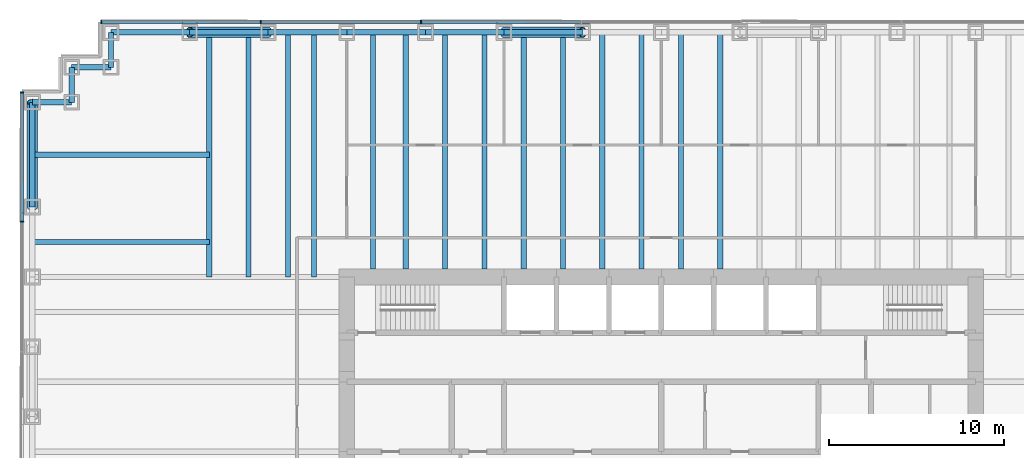
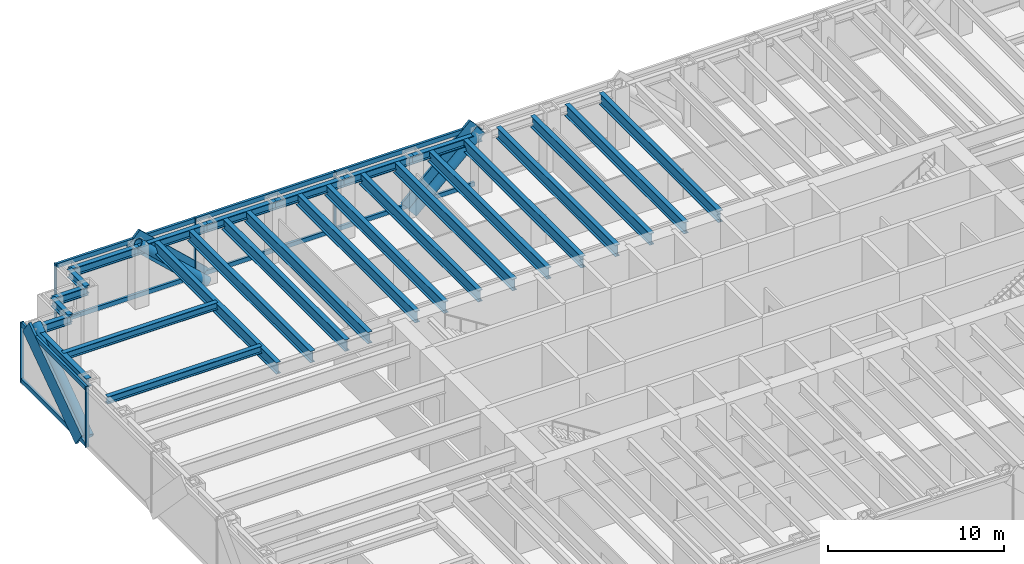
# One storey, part 6 of 15: 27 beams, 19 members, 2 elements without a shape of their own.
"""IFC4 building model written with IfcOpenShell, lengths in metres."""

from ifc_helpers import new_model, si_unit, direction, frame, origin, origin_2d, place, context, subcontext, project, spatial, rectangle, hollow_circle, i_section, extrude, material, material_profile, profile_set, type_object, element, aggregate, save


model = new_model("IFC4")

# Units and contexts
model_context = context("Model", 3, precision=1e-05, world=origin(), true_north=direction((0.0, 1.0)))
body_context = subcontext(model_context, "Body", "Model", "MODEL_VIEW")
ifc_project = project(units=[si_unit("LENGTHUNIT", "METRE"), si_unit("AREAUNIT", "SQUARE_METRE"), si_unit("VOLUMEUNIT", "CUBIC_METRE"), si_unit("PLANEANGLEUNIT", "RADIAN"), si_unit("MASSUNIT", "GRAM", prefix="KILO")], contexts=[model_context])

# Site, building, storey
site_placement = place(None, origin())
site = spatial("IfcSite", under=ifc_project, at=site_placement, CompositionType="ELEMENT")
building_placement = place(site_placement, origin())
building = spatial("IfcBuilding", under=site, at=building_placement, Name="Rheinbord Bourse Tower", CompositionType="ELEMENT")
storey_placement = place(building_placement, frame((0.0, 0.0, 117.300048828125)))
storey = spatial("IfcBuildingStorey", under=building, at=storey_placement, Name="L25", CompositionType="ELEMENT", Elevation=117.300048828125)

# Curtain wall, members
ifc_material_1 = material(Name="Dark glass and black aluminium", Category="aluminium")
curtain_wall_type = type_object("IfcCurtainWallType", Name="CW2 DARK GLASS CURTAIN WALL", PredefinedType="USERDEFINED", material=ifc_material_1)
curtain_wall_1_placement = place(storey_placement, origin())
curtain_wall_1 = element("IfcCurtainWall", 1, at=curtain_wall_1_placement, inside=storey, type_object=curtain_wall_type, Name="Curtain wall CW2 N L25", ObjectType="UNITISED CURTAIN WALL", PredefinedType="USERDEFINED")
ifc_material_2 = material(Name="Black anodised aluminium", Category="aluminium")
ifc_material_profile_1 = material_profile(ifc_material_2, rectangle(XDim=0.159912109375, YDim=1.2099609375, at=origin_2d()), Name="CW2 DIAGONAL MULLION 1210x160")
ifc_profile_set_1 = profile_set([ifc_material_profile_1], Name="Black anodised aluminium")
member_type_1 = type_object("IfcMemberType", Name="CW2 BLACK DIAGONAL MULLION", PredefinedType="USERDEFINED", material=ifc_profile_set_1)
member_1_placement = place(storey_placement, frame((13.5, 46.60009765625, 0.0), z_axis=(-0.73105922506, 0.0, 0.682314010889), x_axis=(0.0, -1.0, 0.0)))
member_1 = element("IfcMember", 2, at=member_1_placement, type_object=member_type_1, Name="CW2 diagonal mullion a", ObjectType="DIAGONAL MULLION", PredefinedType="USERDEFINED", context=body_context, shape_type="SweptSolid", body=[
    extrude(rectangle(XDim=0.159912109375, YDim=1.2099609375, at=origin_2d()), origin(), (0.0, 0.0, 1.0), 6.155517578125),
])
member_2_placement = place(storey_placement, frame((27.0, 46.60009765625, 0.0), z_axis=(0.73105922506, 0.0, 0.682314010889), x_axis=(0.0, 1.0, 0.0)))
member_2 = element("IfcMember", 3, at=member_2_placement, type_object=member_type_1, Name="CW2 diagonal mullion c", ObjectType="DIAGONAL MULLION", PredefinedType="USERDEFINED", context=body_context, shape_type="SweptSolid", body=[
    extrude(rectangle(XDim=0.159912109375, YDim=1.2099609375, at=origin_2d()), origin(), (0.0, 0.0, 1.0), 6.155517578125),
])

# Curtain wall, member
curtain_wall_2_placement = place(storey_placement, origin())
curtain_wall_2 = element("IfcCurtainWall", 4, at=curtain_wall_2_placement, inside=storey, type_object=curtain_wall_type, Name="Curtain wall CW2 W L25", ObjectType="UNITISED CURTAIN WALL", PredefinedType="USERDEFINED")
member_3_placement = place(storey_placement, frame((-0.60009765625, 36.0, 0.0), z_axis=(0.0, 0.819235052632, 0.57345786989), x_axis=(-1.0, 0.0, 0.0)))
member_3 = element("IfcMember", 5, at=member_3_placement, type_object=member_type_1, Name="CW2 diagonal mullion a", ObjectType="DIAGONAL MULLION", PredefinedType="USERDEFINED", context=body_context, shape_type="SweptSolid", body=[
    extrude(rectangle(XDim=0.159912109375, YDim=1.2099609375, at=origin_2d()), origin(), (0.0, 0.0, 1.0), 7.323974609375),
])

# Member
ifc_material_3 = material(Name="Black anodised aluminium", Category="aluminium")
ifc_material_profile_2 = material_profile(ifc_material_3, rectangle(XDim=0.219970703125, YDim=0.070068359375, at=origin_2d()), Name="CW2 MULLION 70x220")
ifc_profile_set_2 = profile_set([ifc_material_profile_2], Name="Black anodised aluminium")
member_type_2 = type_object("IfcMemberType", Name="CW2 BLACK MULLION", PredefinedType="MULLION", material=ifc_profile_set_2)
member_4_placement = place(storey_placement, frame((22.242919921875, 46.60009765625, 0.0), z_axis=(0.0, 0.0, 1.0), x_axis=(0.0, -1.0, 0.0)))
member_4 = element("IfcMember", 6, at=member_4_placement, type_object=member_type_2, Name="CW2 mullion 6", PredefinedType="MULLION", context=body_context, shape_type="SweptSolid", body=[
    extrude(rectangle(XDim=0.219970703125, YDim=0.070068359375, at=origin_2d()), origin(), (0.0, 0.0, 1.0), 4.199951171875),
])

member_5_placement = place(storey_placement, frame((13.071533203125, 46.60009765625, 0.0), z_axis=(0.0, 0.0, 1.0), x_axis=(0.0, -1.0, 0.0)))
member_5 = element("IfcMember", 7, at=member_5_placement, type_object=member_type_2, Name="CW2 mullion 7", PredefinedType="MULLION", context=body_context, shape_type="SweptSolid", body=[
    extrude(rectangle(XDim=0.219970703125, YDim=0.070068359375, at=origin_2d()), origin(), (0.0, 0.0, 1.0), 4.199951171875),
])

member_6_placement = place(storey_placement, frame((3.93505859375, 46.60009765625, 0.0), z_axis=(0.0, 0.0, 1.0), x_axis=(0.0, -1.0, 0.0)))
member_6 = element("IfcMember", 8, at=member_6_placement, type_object=member_type_2, Name="CW2 mullion 8", PredefinedType="MULLION", context=body_context, shape_type="SweptSolid", body=[
    extrude(rectangle(XDim=0.219970703125, YDim=0.070068359375, at=origin_2d()), origin(), (0.0, 0.0, 1.0), 4.199951171875),
])

member_7_placement = place(storey_placement, frame((-0.60009765625, 42.56494140625, 0.0), z_axis=(0.0, 0.0, 1.0), x_axis=(1.0, 0.0, 0.0)))
member_7 = element("IfcMember", 9, at=member_7_placement, type_object=member_type_2, Name="CW2 mullion 1", PredefinedType="MULLION", context=body_context, shape_type="SweptSolid", body=[
    extrude(rectangle(XDim=0.219970703125, YDim=0.070068359375, at=origin_2d()), origin(), (0.0, 0.0, 1.0), 4.199951171875),
])

member_8_placement = place(storey_placement, frame((-0.60009765625, 35.159912109375, 0.0), z_axis=(0.0, 0.0, 1.0), x_axis=(1.0, 0.0, 0.0)))
member_8 = element("IfcMember", 10, at=member_8_placement, type_object=member_type_2, Name="CW2 mullion 2", PredefinedType="MULLION", context=body_context, shape_type="SweptSolid", body=[
    extrude(rectangle(XDim=0.219970703125, YDim=0.070068359375, at=origin_2d()), origin(), (0.0, 0.0, 1.0), 4.199951171875),
])

ifc_material_4 = material(Name="Black anodised aluminium", Category="aluminium")
ifc_material_profile_3 = material_profile(ifc_material_4, rectangle(XDim=0.159912109375, YDim=0.300048828125, at=origin_2d()), Name="CW2 TRANSOM 300x160")
ifc_profile_set_3 = profile_set([ifc_material_profile_3], Name="Black anodised aluminium")
member_type_3 = type_object("IfcMemberType", Name="CW2 BLACK TRANSOM", PredefinedType="USERDEFINED", material=ifc_profile_set_3)
member_9_placement = place(storey_placement, frame((31.37939453125, 46.60009765625, 0.14990234375), z_axis=(-1.0, 0.0, 0.0), x_axis=(0.0, -1.0, 0.0)))
member_9 = element("IfcMember", 11, at=member_9_placement, type_object=member_type_3, Name="CW2 transom 5.1", ObjectType="TRANSOM", PredefinedType="USERDEFINED", context=body_context, shape_type="SweptSolid", body=[
    extrude(rectangle(XDim=0.159912109375, YDim=0.300048828125, at=origin_2d()), origin(), (0.0, 0.0, 1.0), 9.1015625),
])

member_10_placement = place(storey_placement, frame((31.37939453125, 46.60009765625, 4.050048828125), z_axis=(-1.0, 0.0, 0.0), x_axis=(0.0, -1.0, 0.0)))
member_10 = element("IfcMember", 12, at=member_10_placement, type_object=member_type_3, Name="CW2 transom 5.2", ObjectType="TRANSOM", PredefinedType="USERDEFINED", context=body_context, shape_type="SweptSolid", body=[
    extrude(rectangle(XDim=0.159912109375, YDim=0.300048828125, at=origin_2d()), origin(), (0.0, 0.0, 1.0), 9.1015625),
])

member_11_placement = place(storey_placement, frame((22.207763671875, 46.60009765625, 0.14990234375), z_axis=(-1.0, 0.0, 0.0), x_axis=(0.0, -1.0, 0.0)))
member_11 = element("IfcMember", 13, at=member_11_placement, type_object=member_type_3, Name="CW2 transom 6.1", ObjectType="TRANSOM", PredefinedType="USERDEFINED", context=body_context, shape_type="SweptSolid", body=[
    extrude(rectangle(XDim=0.159912109375, YDim=0.300048828125, at=origin_2d()), origin(), (0.0, 0.0, 1.0), 9.101318359375),
])

member_12_placement = place(storey_placement, frame((22.207763671875, 46.60009765625, 4.050048828125), z_axis=(-1.0, 0.0, 0.0), x_axis=(0.0, -1.0, 0.0)))
member_12 = element("IfcMember", 14, at=member_12_placement, type_object=member_type_3, Name="CW2 transom 6.2", ObjectType="TRANSOM", PredefinedType="USERDEFINED", context=body_context, shape_type="SweptSolid", body=[
    extrude(rectangle(XDim=0.159912109375, YDim=0.300048828125, at=origin_2d()), origin(), (0.0, 0.0, 1.0), 9.101318359375),
])

member_13_placement = place(storey_placement, frame((13.036376953125, 46.60009765625, 0.14990234375), z_axis=(-1.0, 0.0, 0.0), x_axis=(0.0, -1.0, 0.0)))
member_13 = element("IfcMember", 15, at=member_13_placement, type_object=member_type_3, Name="CW2 transom 7.1", ObjectType="TRANSOM", PredefinedType="USERDEFINED", context=body_context, shape_type="SweptSolid", body=[
    extrude(rectangle(XDim=0.159912109375, YDim=0.300048828125, at=origin_2d()), origin(), (0.0, 0.0, 1.0), 9.06640625),
])

member_14_placement = place(storey_placement, frame((13.036376953125, 46.60009765625, 4.050048828125), z_axis=(-1.0, 0.0, 0.0), x_axis=(0.0, -1.0, 0.0)))
member_14 = element("IfcMember", 16, at=member_14_placement, type_object=member_type_3, Name="CW2 transom 7.2", ObjectType="TRANSOM", PredefinedType="USERDEFINED", context=body_context, shape_type="SweptSolid", body=[
    extrude(rectangle(XDim=0.159912109375, YDim=0.300048828125, at=origin_2d()), origin(), (0.0, 0.0, 1.0), 9.06640625),
])

aggregate(curtain_wall_1, [member_4, member_5, member_6, member_9, member_10, member_11, member_12, member_13, member_14, member_1, member_2])

member_15_placement = place(storey_placement, frame((-0.60009765625, 42.530029296875, 0.14990234375), z_axis=(0.0, -1.0, 0.0), x_axis=(1.0, 0.0, 0.0)))
member_15 = element("IfcMember", 17, at=member_15_placement, type_object=member_type_3, Name="CW2 transom 1.1", ObjectType="TRANSOM", PredefinedType="USERDEFINED", context=body_context, shape_type="SweptSolid", body=[
    extrude(rectangle(XDim=0.159912109375, YDim=0.300048828125, at=origin_2d()), origin(), (0.0, 0.0, 1.0), 7.3349609375),
])

member_16_placement = place(storey_placement, frame((-0.60009765625, 42.530029296875, 4.050048828125), z_axis=(0.0, -1.0, 0.0), x_axis=(1.0, 0.0, 0.0)))
member_16 = element("IfcMember", 18, at=member_16_placement, type_object=member_type_3, Name="CW2 transom 1.2", ObjectType="TRANSOM", PredefinedType="USERDEFINED", context=body_context, shape_type="SweptSolid", body=[
    extrude(rectangle(XDim=0.159912109375, YDim=0.300048828125, at=origin_2d()), origin(), (0.0, 0.0, 1.0), 7.3349609375),
])

aggregate(curtain_wall_2, [member_7, member_8, member_15, member_16, member_3])

# Beams
ifc_material_5 = material(Name="Steel S460", Category="steel")
ifc_material_profile_4 = material_profile(ifc_material_5, i_section(OverallWidth=0.300048828125, OverallDepth=0.800048828125, WebThickness=0.017578125, FlangeThickness=0.032958984375, at=origin_2d()), Name="HEB 800")
ifc_profile_set_4 = profile_set([ifc_material_profile_4], Name="Steel S460")
beam_type_1 = type_object("IfcBeamType", Name="FLOOR BEAM HEB 800", PredefinedType="BEAM", material=ifc_profile_set_4)
for number, where, z_axis, x_axis, name in (
    (19, (10.125, 46.0, 3.639892578125), (0.0, -1.0, 0.0), (1.0, 0.0, 0.0), "Floor beam N-9a L26"),
    (20, (12.375, 46.0, 3.639892578125), (0.0, -1.0, 0.0), (1.0, 0.0, 0.0), "Floor beam N-9b L26"),
    (21, (14.625, 46.0, 3.639892578125), (0.0, -1.0, 0.0), (1.0, 0.0, 0.0), "Floor beam N-13.5a L26"),
    (22, (16.125, 46.0, 3.639892578125), (0.0, -1.0, 0.0), (1.0, 0.0, 0.0), "Floor beam N-13.5b L26"),
):
    element("IfcBeam", number, at=place(storey_placement, frame(where, z_axis=z_axis, x_axis=x_axis)), inside=storey, type_object=beam_type_1, Name=name, PredefinedType="BEAM", context=body_context, shape_type="SweptSolid", body=[
        extrude(i_section(OverallWidth=0.300048828125, OverallDepth=0.800048828125, WebThickness=0.017578125, FlangeThickness=0.032958984375, at=origin_2d()), origin(), (0.0, 0.0, 1.0), 14.0),
    ])
for number, where, z_axis, x_axis, name in (
    (23, (19.5, 46.0, 3.639892578125), (0.0, -1.0, 0.0), (1.0, 0.0, 0.0), "Floor beam N-18a L26"),
    (24, (21.375, 46.0, 3.639892578125), (0.0, -1.0, 0.0), (1.0, 0.0, 0.0), "Floor beam N-18b L26"),
    (25, (23.625, 46.0, 3.639892578125), (0.0, -1.0, 0.0), (1.0, 0.0, 0.0), "Floor beam N-22.5a L26"),
    (26, (25.875, 46.0, 3.639892578125), (0.0, -1.0, 0.0), (1.0, 0.0, 0.0), "Floor beam N-22.5b L26"),
    (27, (28.125, 46.0, 3.639892578125), (0.0, -1.0, 0.0), (1.0, 0.0, 0.0), "Floor beam N-27a L26"),
    (28, (30.375, 46.0, 3.639892578125), (0.0, -1.0, 0.0), (1.0, 0.0, 0.0), "Floor beam N-27b L26"),
    (29, (32.625, 46.0, 3.639892578125), (0.0, -1.0, 0.0), (1.0, 0.0, 0.0), "Floor beam N-31.5a L26"),
    (30, (34.875, 46.0, 3.639892578125), (0.0, -1.0, 0.0), (1.0, 0.0, 0.0), "Floor beam N-31.5b L26"),
    (31, (37.125, 46.0, 3.639892578125), (0.0, -1.0, 0.0), (1.0, 0.0, 0.0), "Floor beam N-36a L26"),
    (32, (39.375, 46.0, 3.639892578125), (0.0, -1.0, 0.0), (1.0, 0.0, 0.0), "Floor beam N-36b L26"),
):
    element("IfcBeam", number, at=place(storey_placement, frame(where, z_axis=z_axis, x_axis=x_axis)), inside=storey, type_object=beam_type_1, Name=name, PredefinedType="BEAM", context=body_context, shape_type="SweptSolid", body=[
        extrude(i_section(OverallWidth=0.300048828125, OverallDepth=0.800048828125, WebThickness=0.017578125, FlangeThickness=0.032958984375, at=origin_2d()), origin(), (0.0, 0.0, 1.0), 13.550048828125),
    ])

# Members
ifc_material_6 = material(Name="Steel S460", Category="steel")
ifc_material_profile_5 = material_profile(ifc_material_6, hollow_circle(Radius=0.304931640625, WallThickness=0.0400390625, at=origin_2d()), Name="CHS 610x40")
ifc_profile_set_5 = profile_set([ifc_material_profile_5], Name="Steel S460")
member_type_4 = type_object("IfcMemberType", Name="MEGABRACE CHS 610x40", PredefinedType="BRACE", material=ifc_profile_set_5)
for number, where, z_axis, x_axis, name in (
    (33, (13.5, 46.0, 0.0), (-0.73105922506, 0.0, 0.682314010889), (0.0, -1.0, 0.0), "Megabrace N face line a L25"),
    (34, (27.0, 46.0, 0.0), (0.73105922506, 0.0, 0.682314010889), (0.0, 1.0, 0.0), "Megabrace N face line c L25"),
):
    element("IfcMember", number, at=place(storey_placement, frame(where, z_axis=z_axis, x_axis=x_axis)), inside=storey, type_object=member_type_4, Name=name, PredefinedType="BRACE", context=body_context, shape_type="SweptSolid", body=[
        extrude(hollow_circle(Radius=0.304931640625, WallThickness=0.0400390625, at=origin_2d()), origin(), (0.0, 0.0, 1.0), 6.155517578125),
    ])
member_17_placement = place(storey_placement, frame((0.0, 36.0, 0.0), z_axis=(0.0, 0.819235052632, 0.57345786989), x_axis=(-1.0, 0.0, 0.0)))
element("IfcMember", 35, at=member_17_placement, inside=storey, type_object=member_type_4, Name="Megabrace W face line a L25", PredefinedType="BRACE", context=body_context, shape_type="SweptSolid", body=[
    extrude(hollow_circle(Radius=0.304931640625, WallThickness=0.0400390625, at=origin_2d()), origin(), (0.0, 0.0, 1.0), 7.323974609375),
])

# Beams
ifc_material_7 = material(Name="Steel S460", Category="steel")
ifc_material_profile_6 = material_profile(ifc_material_7, i_section(OverallWidth=0.305908203125, OverallDepth=0.572021484375, WebThickness=0.02099609375, FlangeThickness=0.0400390625, at=origin_2d()), Name="HEM 550")
ifc_profile_set_6 = profile_set([ifc_material_profile_6], Name="Steel S460")
beam_type_2 = type_object("IfcBeamType", Name="SPANDREL HEM 550", PredefinedType="SPANDREL", material=ifc_profile_set_6)
for number, where, z_axis, x_axis, name in (
    (36, (31.5, 46.0, 3.75390625), (-1.0, 0.0, 0.0), (0.0, -1.0, 0.0), "Spandrel N-31.5-N-27 under L26"),
    (37, (27.0, 46.0, 3.75390625), (-1.0, 0.0, 0.0), (0.0, -1.0, 0.0), "Spandrel N-27-N-22.5 under L26"),
    (38, (22.5, 46.0, 3.75390625), (-1.0, 0.0, 0.0), (0.0, -1.0, 0.0), "Spandrel N-22.5-N-18 under L26"),
    (39, (18.0, 46.0, 3.75390625), (-1.0, 0.0, 0.0), (0.0, -1.0, 0.0), "Spandrel N-18-N-13.5 under L26"),
    (40, (13.5, 46.0, 3.75390625), (-1.0, 0.0, 0.0), (0.0, -1.0, 0.0), "Spandrel N-13.5-N-9 under L26"),
    (41, (9.0, 46.0, 3.75390625), (-1.0, 0.0, 0.0), (0.0, -1.0, 0.0), "Spandrel N-9-NW-E under L26"),
):
    element("IfcBeam", number, at=place(storey_placement, frame(where, z_axis=z_axis, x_axis=x_axis)), inside=storey, type_object=beam_type_2, Name=name, PredefinedType="SPANDREL", context=body_context, shape_type="SweptSolid", body=[
        extrude(i_section(OverallWidth=0.305908203125, OverallDepth=0.572021484375, WebThickness=0.02099609375, FlangeThickness=0.0400390625, at=origin_2d()), origin(), (0.0, 0.0, 1.0), 4.5),
    ])
beam_1_placement = place(storey_placement, frame((4.5, 46.0, 3.75390625), z_axis=(0.0, -1.0, 0.0), x_axis=(1.0, 0.0, 0.0)))
element("IfcBeam", 42, at=beam_1_placement, inside=storey, type_object=beam_type_2, Name="Spandrel NW-E-NW-D under L26", PredefinedType="SPANDREL", context=body_context, shape_type="SweptSolid", body=[
    extrude(i_section(OverallWidth=0.305908203125, OverallDepth=0.572021484375, WebThickness=0.02099609375, FlangeThickness=0.0400390625, at=origin_2d()), origin(), (0.0, 0.0, 1.0), 2.0),
])
beam_2_placement = place(storey_placement, frame((4.5, 44.0, 3.75390625), z_axis=(-1.0, 0.0, 0.0), x_axis=(0.0, -1.0, 0.0)))
element("IfcBeam", 43, at=beam_2_placement, inside=storey, type_object=beam_type_2, Name="Spandrel NW-D-NW-C under L26", PredefinedType="SPANDREL", context=body_context, shape_type="SweptSolid", body=[
    extrude(i_section(OverallWidth=0.305908203125, OverallDepth=0.572021484375, WebThickness=0.02099609375, FlangeThickness=0.0400390625, at=origin_2d()), origin(), (0.0, 0.0, 1.0), 2.25),
])
beam_3_placement = place(storey_placement, frame((2.25, 44.0, 3.75390625), z_axis=(0.0, -1.0, 0.0), x_axis=(1.0, 0.0, 0.0)))
element("IfcBeam", 44, at=beam_3_placement, inside=storey, type_object=beam_type_2, Name="Spandrel NW-C-NW-B under L26", PredefinedType="SPANDREL", context=body_context, shape_type="SweptSolid", body=[
    extrude(i_section(OverallWidth=0.305908203125, OverallDepth=0.572021484375, WebThickness=0.02099609375, FlangeThickness=0.0400390625, at=origin_2d()), origin(), (0.0, 0.0, 1.0), 2.0),
])
beam_4_placement = place(storey_placement, frame((2.25, 42.0, 3.75390625), z_axis=(-1.0, 0.0, 0.0), x_axis=(0.0, -1.0, 0.0)))
element("IfcBeam", 45, at=beam_4_placement, inside=storey, type_object=beam_type_2, Name="Spandrel NW-B-NW-A under L26", PredefinedType="SPANDREL", context=body_context, shape_type="SweptSolid", body=[
    extrude(i_section(OverallWidth=0.305908203125, OverallDepth=0.572021484375, WebThickness=0.02099609375, FlangeThickness=0.0400390625, at=origin_2d()), origin(), (0.0, 0.0, 1.0), 2.25),
])
beam_5_placement = place(storey_placement, frame((0.0, 42.0, 3.75390625), z_axis=(0.0, -1.0, 0.0), x_axis=(1.0, 0.0, 0.0)))
element("IfcBeam", 46, at=beam_5_placement, inside=storey, type_object=beam_type_2, Name="Spandrel NW-A-W-36 under L26", PredefinedType="SPANDREL", context=body_context, shape_type="SweptSolid", body=[
    extrude(i_section(OverallWidth=0.305908203125, OverallDepth=0.572021484375, WebThickness=0.02099609375, FlangeThickness=0.0400390625, at=origin_2d()), origin(), (0.0, 0.0, 1.0), 6.0),
])
ifc_material_8 = material(Name="Steel S460", Category="steel")
ifc_material_profile_7 = material_profile(ifc_material_8, i_section(OverallWidth=0.300048828125, OverallDepth=0.5, WebThickness=0.014404296875, FlangeThickness=0.028076171875, at=origin_2d()), Name="HEB 500")
ifc_profile_set_7 = profile_set([ifc_material_profile_7], Name="Steel S460")
beam_type_3 = type_object("IfcBeamType", Name="TIE BEAM HEB 500", PredefinedType="JOIST", material=ifc_profile_set_7)
for number, where, z_axis, x_axis, name in (
    (47, (0.0, 34.0, 3.7900390625), (1.0, 0.0, 0.0), (0.0, 1.0, 0.0), "Tie west 34 L26"),
    (48, (0.0, 39.0, 3.7900390625), (1.0, 0.0, 0.0), (0.0, 1.0, 0.0), "Tie west 39 L26"),
):
    element("IfcBeam", number, at=place(storey_placement, frame(where, z_axis=z_axis, x_axis=x_axis)), inside=storey, type_object=beam_type_3, Name=name, PredefinedType="JOIST", context=body_context, shape_type="SweptSolid", body=[
        extrude(i_section(OverallWidth=0.300048828125, OverallDepth=0.5, WebThickness=0.014404296875, FlangeThickness=0.028076171875, at=origin_2d()), origin(), (0.0, 0.0, 1.0), 10.125),
    ])

save(model, "model.ifc")
